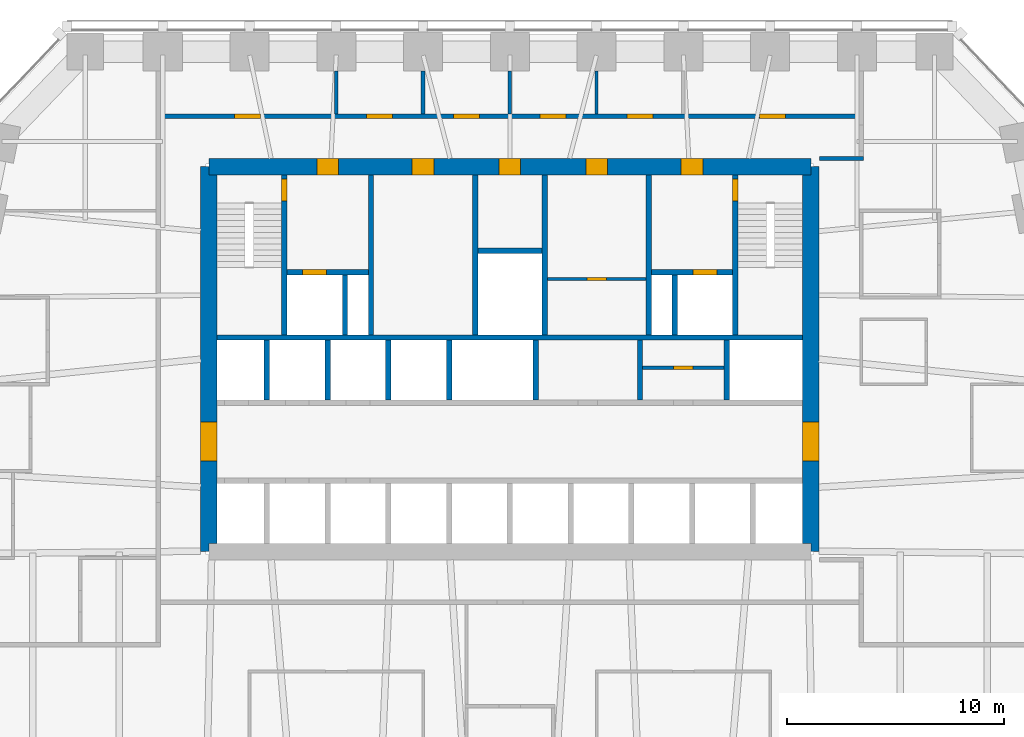
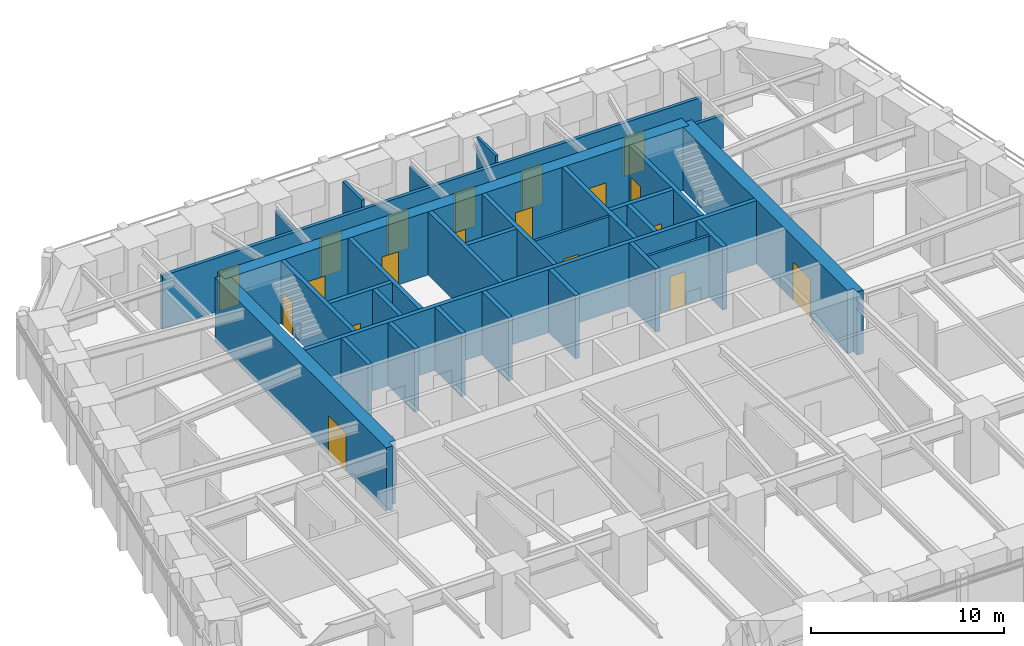
# One storey, part 7 of 10: 30 walls, 19 doors, 19 openings.
"""IFC4 building model written with IfcOpenShell, lengths in metres."""

from ifc_helpers import new_model, si_unit, direction, frame, frame_2d, origin, place, context, subcontext, project, spatial, polyline, rectangle, outline, extrude, material, layer, layer_set, type_object, element, fill, save


model = new_model("IFC4")

# Units and contexts
model_context = context("Model", 3, precision=1e-05, world=origin(), true_north=direction((0.0, 1.0)))
body_context = subcontext(model_context, "Body", "Model", "MODEL_VIEW")
ifc_project = project(units=[si_unit("LENGTHUNIT", "METRE"), si_unit("AREAUNIT", "SQUARE_METRE"), si_unit("VOLUMEUNIT", "CUBIC_METRE"), si_unit("PLANEANGLEUNIT", "RADIAN"), si_unit("MASSUNIT", "GRAM", prefix="KILO")], contexts=[model_context])

# Site, building, storey
site_placement = place(None, origin())
site = spatial("IfcSite", under=ifc_project, at=site_placement, CompositionType="ELEMENT")
building_placement = place(site_placement, origin())
building = spatial("IfcBuilding", under=site, at=building_placement, Name="Isbrekke Arena Tower", CompositionType="ELEMENT")
storey_placement = place(building_placement, frame((0.0, 0.0, 119.0)))
storey = spatial("IfcBuildingStorey", under=building, at=storey_placement, Name="L26", CompositionType="ELEMENT", Elevation=119.0)

# Wall, opening, door
ifc_material_1 = material(Name="Concrete B55 (C55/67)", Category="concrete")
ifc_layer_1 = layer(ifc_material_1, 0.75)
ifc_layer_set_1 = layer_set([ifc_layer_1], Name="CW3 CORE WALL 750")
wall_type_1 = type_object("IfcWallType", Name="CW3 CORE WALL 750", PredefinedType="SHEAR", material=ifc_layer_set_1)
wall_1_placement = place(storey_placement, frame((13.875, 6.125, 0.0), z_axis=(0.0, 0.0, 1.0), x_axis=(0.0, 1.0, 0.0)))
wall_1 = element("IfcWall", 1, at=wall_1_placement, inside=storey, type_object=wall_type_1, Name="Core wall E L26", PredefinedType="SHEAR", context=body_context, shape_type="SweptSolid", body=[
    extrude(outline(polyline([(0.0, -0.375), (17.75, -0.375), (17.75, 0.0), (17.375, 0.0), (17.375, 0.375), (0.375, 0.375), (0.375, 0.0), (0.0, 0.0), (0.0, -0.375)])), origin(), (0.0, 0.0, 1.0), 4.0),
])
opening_1_placement = place(wall_1_placement, frame((4.175048828125, 0.0, 0.0)))
opening_1 = element("IfcOpeningElement", 2, at=opening_1_placement, cuts=wall_1, Name="Opening D1", PredefinedType="OPENING", context=body_context, shape_type="SweptSolid", body=[
    extrude(rectangle(XDim=1.800048828125, YDim=2.39990234375, at=frame_2d((0.89990234375, 1.199951171875))), frame((0.0, 0.389892578125, 0.0), z_axis=(0.0, -1.0, 0.0), x_axis=(1.0, 0.0, 0.0)), (0.0, 0.0, 1.0), 0.77978515625),
])
ifc_material_2 = material(Name="Steel-framed glazed fire door", Category="steel")
door_type_1 = type_object("IfcDoorType", Name="D1 CORE LOBBY DOOR 1800 x 2400", OperationType="DOUBLE_DOOR_SINGLE_SWING", PredefinedType="DOOR", material=ifc_material_2)
door_1_placement = place(opening_1_placement, origin())
door_1 = element("IfcDoor", 3, at=door_1_placement, inside=storey, type_object=door_type_1, Name="D1 lift lobby door east L26", OperationType="DOUBLE_DOOR_SINGLE_SWING", OverallHeight=2.39990234375, OverallWidth=1.800048828125, PredefinedType="DOOR", context=body_context, shape_type="SweptSolid", body=[
    extrude(rectangle(XDim=1.800048828125, YDim=2.39990234375, at=frame_2d((0.89990234375, 1.199951171875))), frame((0.0, 0.374755859375, 0.0), z_axis=(0.0, -1.0, 0.0), x_axis=(1.0, 0.0, 0.0)), (0.0, 0.0, 1.0), 0.74951171875),
])
fill(opening_1, door_1)

# Wall, openings, doors
wall_2_placement = place(storey_placement, frame((13.875, 23.875, 0.0), z_axis=(0.0, 0.0, 1.0), x_axis=(-1.0, 0.0, 0.0)))
wall_2 = element("IfcWall", 4, at=wall_2_placement, inside=storey, type_object=wall_type_1, Name="Core wall N L26", PredefinedType="SHEAR", context=body_context, shape_type="SweptSolid", body=[
    extrude(rectangle(XDim=27.75, YDim=0.75, at=frame_2d((13.875, 0.0))), origin(), (0.0, 0.0, 1.0), 4.0),
])
opening_2_placement = place(wall_2_placement, frame((21.77490234375, 0.0, 0.0)))
opening_2 = element("IfcOpeningElement", 5, at=opening_2_placement, cuts=wall_2, Name="Opening D3", PredefinedType="OPENING", context=body_context, shape_type="SweptSolid", body=[
    extrude(rectangle(XDim=1.0, YDim=2.10009765625, at=frame_2d((0.5, 1.050048828125))), frame((0.0, 0.389892578125, 0.0), z_axis=(0.0, -1.0, 0.0), x_axis=(1.0, 0.0, 0.0)), (0.0, 0.0, 1.0), 0.77978515625),
])
opening_3_placement = place(wall_2_placement, frame((4.97509765625, 0.0, 0.0)))
opening_3 = element("IfcOpeningElement", 6, at=opening_3_placement, cuts=wall_2, Name="Opening D3", PredefinedType="OPENING", context=body_context, shape_type="SweptSolid", body=[
    extrude(rectangle(XDim=1.0, YDim=2.10009765625, at=frame_2d((0.5, 1.050048828125))), frame((0.0, 0.389892578125, 0.0), z_axis=(0.0, -1.0, 0.0), x_axis=(1.0, 0.0, 0.0)), (0.0, 0.0, 1.0), 0.77978515625),
])
opening_4_placement = place(wall_2_placement, frame((17.375, 0.0, 0.0)))
opening_4 = element("IfcOpeningElement", 7, at=opening_4_placement, cuts=wall_2, Name="Opening D4", PredefinedType="OPENING", context=body_context, shape_type="SweptSolid", body=[
    extrude(rectangle(XDim=1.0, YDim=2.10009765625, at=frame_2d((0.5, 1.050048828125))), frame((0.0, 0.389892578125, 0.0), z_axis=(0.0, -1.0, 0.0), x_axis=(1.0, 0.0, 0.0)), (0.0, 0.0, 1.0), 0.77978515625),
])
opening_5_placement = place(wall_2_placement, frame((13.375, 0.0, 0.0)))
opening_5 = element("IfcOpeningElement", 8, at=opening_5_placement, cuts=wall_2, Name="Opening D4", PredefinedType="OPENING", context=body_context, shape_type="SweptSolid", body=[
    extrude(rectangle(XDim=1.0, YDim=2.10009765625, at=frame_2d((0.5, 1.050048828125))), frame((0.0, 0.389892578125, 0.0), z_axis=(0.0, -1.0, 0.0), x_axis=(1.0, 0.0, 0.0)), (0.0, 0.0, 1.0), 0.77978515625),
])
opening_6_placement = place(wall_2_placement, frame((9.375, 0.0, 0.0)))
opening_6 = element("IfcOpeningElement", 9, at=opening_6_placement, cuts=wall_2, Name="Opening D4", PredefinedType="OPENING", context=body_context, shape_type="SweptSolid", body=[
    extrude(rectangle(XDim=1.0, YDim=2.10009765625, at=frame_2d((0.5, 1.050048828125))), frame((0.0, 0.389892578125, 0.0), z_axis=(0.0, -1.0, 0.0), x_axis=(1.0, 0.0, 0.0)), (0.0, 0.0, 1.0), 0.77978515625),
])
ifc_material_3 = material(Name="Steel fire door", Category="steel")
door_type_2 = type_object("IfcDoorType", Name="D3 FIRE LOBBY DOOR 1000 x 2100", OperationType="SINGLE_SWING_RIGHT", PredefinedType="DOOR", material=ifc_material_3)
door_2_placement = place(opening_2_placement, origin())
door_2 = element("IfcDoor", 10, at=door_2_placement, inside=storey, type_object=door_type_2, Name="D3 fire-fighting lobby door L26", OperationType="SINGLE_SWING_RIGHT", OverallHeight=2.10009765625, OverallWidth=1.0, PredefinedType="DOOR", context=body_context, shape_type="SweptSolid", body=[
    extrude(rectangle(XDim=1.0, YDim=2.10009765625, at=frame_2d((0.5, 1.050048828125))), frame((0.0, 0.374755859375, 0.0), z_axis=(0.0, -1.0, 0.0), x_axis=(1.0, 0.0, 0.0)), (0.0, 0.0, 1.0), 0.74951171875),
])
fill(opening_2, door_2)
door_3_placement = place(opening_3_placement, origin())
door_3 = element("IfcDoor", 11, at=door_3_placement, inside=storey, type_object=door_type_2, Name="D3 fire-fighting lobby door L26", OperationType="SINGLE_SWING_RIGHT", OverallHeight=2.10009765625, OverallWidth=1.0, PredefinedType="DOOR", context=body_context, shape_type="SweptSolid", body=[
    extrude(rectangle(XDim=1.0, YDim=2.10009765625, at=frame_2d((0.5, 1.050048828125))), frame((0.0, 0.374755859375, 0.0), z_axis=(0.0, -1.0, 0.0), x_axis=(1.0, 0.0, 0.0)), (0.0, 0.0, 1.0), 0.74951171875),
])
fill(opening_3, door_3)
ifc_material_4 = material(Name="Timber door", Category="wood")
door_type_3 = type_object("IfcDoorType", Name="D4 WC DOOR 1000 x 2100", OperationType="SINGLE_SWING_LEFT", PredefinedType="DOOR", material=ifc_material_4)
door_4_placement = place(opening_4_placement, origin())
door_4 = element("IfcDoor", 12, at=door_4_placement, inside=storey, type_object=door_type_3, Name="D4 wc female door L26", OperationType="SINGLE_SWING_LEFT", OverallHeight=2.10009765625, OverallWidth=1.0, PredefinedType="DOOR", context=body_context, shape_type="SweptSolid", body=[
    extrude(rectangle(XDim=1.0, YDim=2.10009765625, at=frame_2d((0.5, 1.050048828125))), frame((0.0, 0.374755859375, 0.0), z_axis=(0.0, -1.0, 0.0), x_axis=(1.0, 0.0, 0.0)), (0.0, 0.0, 1.0), 0.74951171875),
])
fill(opening_4, door_4)
door_5_placement = place(opening_5_placement, origin())
door_5 = element("IfcDoor", 13, at=door_5_placement, inside=storey, type_object=door_type_3, Name="D4 accessible wc door L26", OperationType="SINGLE_SWING_LEFT", OverallHeight=2.10009765625, OverallWidth=1.0, PredefinedType="DOOR", context=body_context, shape_type="SweptSolid", body=[
    extrude(rectangle(XDim=1.0, YDim=2.10009765625, at=frame_2d((0.5, 1.050048828125))), frame((0.0, 0.374755859375, 0.0), z_axis=(0.0, -1.0, 0.0), x_axis=(1.0, 0.0, 0.0)), (0.0, 0.0, 1.0), 0.74951171875),
])
fill(opening_5, door_5)
door_6_placement = place(opening_6_placement, origin())
door_6 = element("IfcDoor", 14, at=door_6_placement, inside=storey, type_object=door_type_3, Name="D4 wc male door L26", OperationType="SINGLE_SWING_LEFT", OverallHeight=2.10009765625, OverallWidth=1.0, PredefinedType="DOOR", context=body_context, shape_type="SweptSolid", body=[
    extrude(rectangle(XDim=1.0, YDim=2.10009765625, at=frame_2d((0.5, 1.050048828125))), frame((0.0, 0.374755859375, 0.0), z_axis=(0.0, -1.0, 0.0), x_axis=(1.0, 0.0, 0.0)), (0.0, 0.0, 1.0), 0.74951171875),
])
fill(opening_6, door_6)

# Wall, opening, door
wall_3_placement = place(storey_placement, frame((-13.875, 23.875, 0.0), z_axis=(0.0, 0.0, 1.0), x_axis=(0.0, -1.0, 0.0)))
wall_3 = element("IfcWall", 15, at=wall_3_placement, inside=storey, type_object=wall_type_1, Name="Core wall W L26", PredefinedType="SHEAR", context=body_context, shape_type="SweptSolid", body=[
    extrude(outline(polyline([(0.0, -0.375), (17.75, -0.375), (17.75, 0.0), (17.375, 0.0), (17.375, 0.375), (0.375, 0.375), (0.375, 0.0), (0.0, 0.0), (0.0, -0.375)])), origin(), (0.0, 0.0, 1.0), 4.0),
])
opening_7_placement = place(wall_3_placement, frame((11.77490234375, 0.0, 0.0)))
opening_7 = element("IfcOpeningElement", 16, at=opening_7_placement, cuts=wall_3, Name="Opening D1", PredefinedType="OPENING", context=body_context, shape_type="SweptSolid", body=[
    extrude(rectangle(XDim=1.800048828125, YDim=2.39990234375, at=frame_2d((0.89990234375, 1.199951171875))), frame((0.0, 0.389892578125, 0.0), z_axis=(0.0, -1.0, 0.0), x_axis=(1.0, 0.0, 0.0)), (0.0, 0.0, 1.0), 0.77978515625),
])
door_7_placement = place(opening_7_placement, origin())
door_7 = element("IfcDoor", 17, at=door_7_placement, inside=storey, type_object=door_type_1, Name="D1 lift lobby door west L26", OperationType="DOUBLE_DOOR_SINGLE_SWING", OverallHeight=2.39990234375, OverallWidth=1.800048828125, PredefinedType="DOOR", context=body_context, shape_type="SweptSolid", body=[
    extrude(rectangle(XDim=1.800048828125, YDim=2.39990234375, at=frame_2d((0.89990234375, 1.199951171875))), frame((0.0, 0.374755859375, 0.0), z_axis=(0.0, -1.0, 0.0), x_axis=(1.0, 0.0, 0.0)), (0.0, 0.0, 1.0), 0.74951171875),
])
fill(opening_7, door_7)

# Walls
ifc_material_5 = material(Name="Concrete B45 (C45/55)", Category="concrete")
ifc_layer_2 = layer(ifc_material_5, 0.25)
ifc_layer_set_2 = layer_set([ifc_layer_2], Name="CW6 SHAFT WALL 250")
wall_type_2 = type_object("IfcWallType", Name="CW6 SHAFT WALL 250", PredefinedType="SHEAR", material=ifc_layer_set_2)
wall_4_placement = place(storey_placement, frame((-13.5, 16.0, 0.0), z_axis=(0.0, 0.0, 1.0), x_axis=(1.0, 0.0, 0.0)))
element("IfcWall", 18, at=wall_4_placement, inside=storey, type_object=wall_type_2, Name="Core wall NB L26", PredefinedType="SHEAR", context=body_context, shape_type="SweptSolid", body=[
    extrude(rectangle(XDim=27.0, YDim=0.25, at=frame_2d((13.5, 0.0))), origin(), (0.0, 0.0, 1.0), 4.0),
])
for number, where, z_axis, x_axis, name in (
    (19, (-11.199951171875, 13.125, 0.0), (0.0, 0.0, 1.0), (0.0, 1.0, 0.0), "Core wall SN01 L26"),
    (20, (-8.39990234375, 13.125, 0.0), (0.0, 0.0, 1.0), (0.0, 1.0, 0.0), "Core wall SN02 L26"),
    (21, (-5.60009765625, 13.125, 0.0), (0.0, 0.0, 1.0), (0.0, 1.0, 0.0), "Core wall SN03 L26"),
    (22, (-2.800048828125, 13.125, 0.0), (0.0, 0.0, 1.0), (0.0, 1.0, 0.0), "Core wall SN04 L26"),
    (23, (1.199951171875, 13.125, 0.0), (0.0, 0.0, 1.0), (0.0, 1.0, 0.0), "Core wall SN05 L26"),
    (24, (6.0, 13.125, 0.0), (0.0, 0.0, 1.0), (0.0, 1.0, 0.0), "Core wall SN06 L26"),
    (25, (10.0, 13.125, 0.0), (0.0, 0.0, 1.0), (0.0, 1.0, 0.0), "Core wall SN07 L26"),
):
    element("IfcWall", number, at=place(storey_placement, frame(where, z_axis=z_axis, x_axis=x_axis)), inside=storey, type_object=wall_type_2, Name=name, PredefinedType="SHEAR", context=body_context, shape_type="SweptSolid", body=[
        extrude(rectangle(XDim=2.75, YDim=0.25, at=frame_2d((1.375, 0.0))), origin(), (0.0, 0.0, 1.0), 4.0),
    ])

# Wall, opening, door
wall_5_placement = place(storey_placement, frame((-10.39990234375, 16.125, 0.0), z_axis=(0.0, 0.0, 1.0), x_axis=(0.0, 1.0, 0.0)))
wall_5 = element("IfcWall", 26, at=wall_5_placement, inside=storey, type_object=wall_type_2, Name="Core wall NV01 L26", PredefinedType="SHEAR", context=body_context, shape_type="SweptSolid", body=[
    extrude(rectangle(XDim=7.375, YDim=0.25, at=frame_2d((3.6875, 0.0))), origin(), (0.0, 0.0, 1.0), 4.0),
])
opening_8_placement = place(wall_5_placement, frame((6.175048828125, 0.0, 0.0)))
opening_8 = element("IfcOpeningElement", 27, at=opening_8_placement, cuts=wall_5, Name="Opening D2", PredefinedType="OPENING", context=body_context, shape_type="SweptSolid", body=[
    extrude(rectangle(XDim=1.0, YDim=2.10009765625, at=frame_2d((0.5, 1.050048828125))), frame((0.0, 0.139892578125, 0.0), z_axis=(0.0, -1.0, 0.0), x_axis=(1.0, 0.0, 0.0)), (0.0, 0.0, 1.0), 0.27978515625),
])
ifc_material_6 = material(Name="Steel fire door", Category="steel")
door_type_4 = type_object("IfcDoorType", Name="D2 STAIR DOOR 1000 x 2100", OperationType="SINGLE_SWING_LEFT", PredefinedType="DOOR", material=ifc_material_6)
door_8_placement = place(opening_8_placement, origin())
door_8 = element("IfcDoor", 28, at=door_8_placement, inside=storey, type_object=door_type_4, Name="D2 stair door ST1 L26", OperationType="SINGLE_SWING_LEFT", OverallHeight=2.10009765625, OverallWidth=1.0, PredefinedType="DOOR", context=body_context, shape_type="SweptSolid", body=[
    extrude(rectangle(XDim=1.0, YDim=2.10009765625, at=frame_2d((0.5, 1.050048828125))), frame((0.0, 0.124755859375, 0.0), z_axis=(0.0, -1.0, 0.0), x_axis=(1.0, 0.0, 0.0)), (0.0, 0.0, 1.0), 0.24951171875),
])
fill(opening_8, door_8)

# Walls
for number, where, z_axis, x_axis, name in (
    (29, (-6.39990234375, 16.125, 0.0), (0.0, 0.0, 1.0), (0.0, 1.0, 0.0), "Core wall NV02 L26"),
    (30, (-1.60009765625, 16.125, 0.0), (0.0, 0.0, 1.0), (0.0, 1.0, 0.0), "Core wall NV03 L26"),
    (31, (1.60009765625, 16.125, 0.0), (0.0, 0.0, 1.0), (0.0, 1.0, 0.0), "Core wall NV04 L26"),
    (32, (6.39990234375, 16.125, 0.0), (0.0, 0.0, 1.0), (0.0, 1.0, 0.0), "Core wall NV05 L26"),
):
    element("IfcWall", number, at=place(storey_placement, frame(where, z_axis=z_axis, x_axis=x_axis)), inside=storey, type_object=wall_type_2, Name=name, PredefinedType="SHEAR", context=body_context, shape_type="SweptSolid", body=[
        extrude(rectangle(XDim=7.375, YDim=0.25, at=frame_2d((3.6875, 0.0))), origin(), (0.0, 0.0, 1.0), 4.0),
    ])

# Wall, opening, door
wall_6_placement = place(storey_placement, frame((10.39990234375, 16.125, 0.0), z_axis=(0.0, 0.0, 1.0), x_axis=(0.0, 1.0, 0.0)))
wall_6 = element("IfcWall", 33, at=wall_6_placement, inside=storey, type_object=wall_type_2, Name="Core wall NV06 L26", PredefinedType="SHEAR", context=body_context, shape_type="SweptSolid", body=[
    extrude(rectangle(XDim=7.375, YDim=0.25, at=frame_2d((3.6875, 0.0))), origin(), (0.0, 0.0, 1.0), 4.0),
])
opening_9_placement = place(wall_6_placement, frame((6.175048828125, 0.0, 0.0)))
opening_9 = element("IfcOpeningElement", 34, at=opening_9_placement, cuts=wall_6, Name="Opening D2", PredefinedType="OPENING", context=body_context, shape_type="SweptSolid", body=[
    extrude(rectangle(XDim=1.0, YDim=2.10009765625, at=frame_2d((0.5, 1.050048828125))), frame((0.0, 0.139892578125, 0.0), z_axis=(0.0, -1.0, 0.0), x_axis=(1.0, 0.0, 0.0)), (0.0, 0.0, 1.0), 0.27978515625),
])
door_9_placement = place(opening_9_placement, origin())
door_9 = element("IfcDoor", 35, at=door_9_placement, inside=storey, type_object=door_type_4, Name="D2 stair door ST2 L26", OperationType="SINGLE_SWING_LEFT", OverallHeight=2.10009765625, OverallWidth=1.0, PredefinedType="DOOR", context=body_context, shape_type="SweptSolid", body=[
    extrude(rectangle(XDim=1.0, YDim=2.10009765625, at=frame_2d((0.5, 1.050048828125))), frame((0.0, 0.124755859375, 0.0), z_axis=(0.0, -1.0, 0.0), x_axis=(1.0, 0.0, 0.0)), (0.0, 0.0, 1.0), 0.24951171875),
])
fill(opening_9, door_9)

wall_7_placement = place(storey_placement, frame((-10.27490234375, 19.0, 0.0), z_axis=(0.0, 0.0, 1.0), x_axis=(1.0, 0.0, 0.0)))
wall_7 = element("IfcWall", 36, at=wall_7_placement, inside=storey, type_object=wall_type_2, Name="Core wall NFW L26", PredefinedType="SHEAR", context=body_context, shape_type="SweptSolid", body=[
    extrude(rectangle(XDim=3.75, YDim=0.25, at=frame_2d((1.875, 0.0))), origin(), (0.0, 0.0, 1.0), 4.0),
])
opening_10_placement = place(wall_7_placement, frame((0.72509765625, 0.0, 0.0)))
opening_10 = element("IfcOpeningElement", 37, at=opening_10_placement, cuts=wall_7, Name="Opening LD2", PredefinedType="OPENING", context=body_context, shape_type="SweptSolid", body=[
    extrude(rectangle(XDim=1.10009765625, YDim=2.10009765625, at=frame_2d((0.550048828125, 1.050048828125))), frame((0.0, 0.139892578125, 0.0), z_axis=(0.0, -1.0, 0.0), x_axis=(1.0, 0.0, 0.0)), (0.0, 0.0, 1.0), 0.27978515625),
])
ifc_material_7 = material(Name="Stainless steel lift landing door", Category="steel")
door_type_5 = type_object("IfcDoorType", Name="LD2 FIRE-FIGHTING LIFT LANDING DOOR 1100 x 2100", OperationType="SLIDING_TO_RIGHT", PredefinedType="DOOR", material=ifc_material_7)
door_10_placement = place(opening_10_placement, origin())
door_10 = element("IfcDoor", 38, at=door_10_placement, inside=storey, type_object=door_type_5, Name="LD2 lift landing door LF L26", OperationType="SLIDING_TO_RIGHT", OverallHeight=2.10009765625, OverallWidth=1.10009765625, PredefinedType="DOOR", context=body_context, shape_type="SweptSolid", body=[
    extrude(rectangle(XDim=1.10009765625, YDim=2.10009765625, at=frame_2d((0.550048828125, 1.050048828125))), frame((0.0, 0.124755859375, 0.0), z_axis=(0.0, -1.0, 0.0), x_axis=(1.0, 0.0, 0.0)), (0.0, 0.0, 1.0), 0.24951171875),
])
fill(opening_10, door_10)

wall_8_placement = place(storey_placement, frame((6.52490234375, 19.0, 0.0), z_axis=(0.0, 0.0, 1.0), x_axis=(1.0, 0.0, 0.0)))
wall_8 = element("IfcWall", 39, at=wall_8_placement, inside=storey, type_object=wall_type_2, Name="Core wall NFE L26", PredefinedType="SHEAR", context=body_context, shape_type="SweptSolid", body=[
    extrude(rectangle(XDim=3.75, YDim=0.25, at=frame_2d((1.875, 0.0))), origin(), (0.0, 0.0, 1.0), 4.0),
])
opening_11_placement = place(wall_8_placement, frame((1.925048828125, 0.0, 0.0)))
opening_11 = element("IfcOpeningElement", 40, at=opening_11_placement, cuts=wall_8, Name="Opening LD2", PredefinedType="OPENING", context=body_context, shape_type="SweptSolid", body=[
    extrude(rectangle(XDim=1.10009765625, YDim=2.10009765625, at=frame_2d((0.550048828125, 1.050048828125))), frame((0.0, 0.139892578125, 0.0), z_axis=(0.0, -1.0, 0.0), x_axis=(1.0, 0.0, 0.0)), (0.0, 0.0, 1.0), 0.27978515625),
])
door_11_placement = place(opening_11_placement, origin())
door_11 = element("IfcDoor", 41, at=door_11_placement, inside=storey, type_object=door_type_5, Name="LD2 lift landing door LF L26", OperationType="SLIDING_TO_RIGHT", OverallHeight=2.10009765625, OverallWidth=1.10009765625, PredefinedType="DOOR", context=body_context, shape_type="SweptSolid", body=[
    extrude(rectangle(XDim=1.10009765625, YDim=2.10009765625, at=frame_2d((0.550048828125, 1.050048828125))), frame((0.0, 0.124755859375, 0.0), z_axis=(0.0, -1.0, 0.0), x_axis=(1.0, 0.0, 0.0)), (0.0, 0.0, 1.0), 0.24951171875),
])
fill(opening_11, door_11)

# Walls
for number, where, z_axis, x_axis, name in (
    (42, (-7.60009765625, 16.125, 0.0), (0.0, 0.0, 1.0), (0.0, 1.0, 0.0), "Core wall NFS1 L26"),
    (43, (7.60009765625, 16.125, 0.0), (0.0, 0.0, 1.0), (0.0, 1.0, 0.0), "Core wall NFS2 L26"),
):
    element("IfcWall", number, at=place(storey_placement, frame(where, z_axis=z_axis, x_axis=x_axis)), inside=storey, type_object=wall_type_2, Name=name, PredefinedType="SHEAR", context=body_context, shape_type="SweptSolid", body=[
        extrude(rectangle(XDim=2.75, YDim=0.25, at=frame_2d((1.375, 0.0))), origin(), (0.0, 0.0, 1.0), 4.0),
    ])
wall_9_placement = place(storey_placement, frame((-1.47509765625, 20.0, 0.0), z_axis=(0.0, 0.0, 1.0), x_axis=(1.0, 0.0, 0.0)))
element("IfcWall", 44, at=wall_9_placement, inside=storey, type_object=wall_type_2, Name="Core wall NWC L26", PredefinedType="SHEAR", context=body_context, shape_type="SweptSolid", body=[
    extrude(rectangle(XDim=2.9501953125, YDim=0.25, at=frame_2d((1.47509765625, 0.0))), origin(), (0.0, 0.0, 1.0), 4.0),
])
ifc_material_8 = material(Name="Gypsum board partition on steel studs", Category="steel")
ifc_layer_3 = layer(ifc_material_8, 0.14990234375)
ifc_layer_set_3 = layer_set([ifc_layer_3], Name="IW1 PARTITION 150")
wall_type_3 = type_object("IfcWallType", Name="IW1 PARTITION 150", PredefinedType="PARTITIONING", material=ifc_layer_set_3)
wall_10_placement = place(storey_placement, frame((0.0, 26.300048828125, 0.0), z_axis=(0.0, 0.0, 1.0), x_axis=(0.0, 1.0, 0.0)))
element("IfcWall", 45, at=wall_10_placement, inside=storey, type_object=wall_type_3, Name="IW1 partition 150 L26", PredefinedType="PARTITIONING", context=body_context, shape_type="SweptSolid", body=[
    extrude(rectangle(XDim=1.974853515625, YDim=0.14990234375, at=frame_2d((0.9873046875, 0.0))), origin(), (0.0, 0.0, 1.0), 3.39990234375),
])
wall_11_placement = place(storey_placement, frame((4.0, 26.300048828125, 0.0), z_axis=(0.0, 0.0, 1.0), x_axis=(0.0, 1.0, 0.0)))
element("IfcWall", 46, at=wall_11_placement, inside=storey, type_object=wall_type_3, Name="IW1 partition 150 L26", PredefinedType="PARTITIONING", context=body_context, shape_type="SweptSolid", body=[
    extrude(rectangle(XDim=1.974853515625, YDim=0.14990234375, at=frame_2d((0.9873046875, 0.0))), origin(), (0.0, 0.0, 1.0), 3.85009765625),
])
ifc_material_9 = material(Name="Gypsum board fire-cell wall on steel studs, two layers each side", Category="steel")
ifc_layer_4 = layer(ifc_material_9, 0.199951171875)
ifc_layer_set_4 = layer_set([ifc_layer_4], Name="IW3 FIRE-CELL WALL 200")
wall_type_4 = type_object("IfcWallType", Name="IW3 FIRE-CELL WALL 200", PredefinedType="PARTITIONING", material=ifc_layer_set_4)
wall_12_placement = place(storey_placement, frame((14.280029296875, 24.25, 0.0), z_axis=(0.0, 0.0, 1.0), x_axis=(1.0, 0.0, 0.0)))
element("IfcWall", 47, at=wall_12_placement, inside=storey, type_object=wall_type_4, Name="IW3 fire-cell wall 200 L26", PredefinedType="PARTITIONING", context=body_context, shape_type="SweptSolid", body=[
    extrude(rectangle(XDim=2.02001953125, YDim=0.199951171875, at=frame_2d((1.010009765625, 0.0))), origin(), (0.0, 0.0, 1.0), 3.39990234375),
])

# Wall, openings, doors
wall_13_placement = place(storey_placement, frame((-16.10009765625, 26.199951171875, 0.0), z_axis=(0.0, 0.0, 1.0), x_axis=(1.0, 0.0, 0.0)))
wall_13 = element("IfcWall", 48, at=wall_13_placement, inside=storey, type_object=wall_type_4, Name="IW3 fire-cell wall 200 L26", PredefinedType="PARTITIONING", context=body_context, shape_type="SweptSolid", body=[
    extrude(rectangle(XDim=32.2001953125, YDim=0.199951171875, at=frame_2d((16.10009765625, 0.0))), origin(), (0.0, 0.0, 1.0), 3.39990234375),
])
opening_12_placement = place(wall_13_placement, frame((3.39990234375, 0.0, 0.0)))
opening_12 = element("IfcOpeningElement", 49, at=opening_12_placement, cuts=wall_13, Name="Opening D12", PredefinedType="OPENING", context=body_context, shape_type="SweptSolid", body=[
    extrude(rectangle(XDim=1.199951171875, YDim=2.39990234375, at=frame_2d((0.60009765625, 1.199951171875))), frame((0.0, 0.11474609375, 0.0), z_axis=(0.0, -1.0, 0.0), x_axis=(1.0, 0.0, 0.0)), (0.0, 0.0, 1.0), 0.229736328125),
])
opening_13_placement = place(wall_13_placement, frame((9.5, 0.0, 0.0)))
opening_13 = element("IfcOpeningElement", 50, at=opening_13_placement, cuts=wall_13, Name="Opening D12", PredefinedType="OPENING", context=body_context, shape_type="SweptSolid", body=[
    extrude(rectangle(XDim=1.199951171875, YDim=2.39990234375, at=frame_2d((0.60009765625, 1.199951171875))), frame((0.0, 0.11474609375, 0.0), z_axis=(0.0, -1.0, 0.0), x_axis=(1.0, 0.0, 0.0)), (0.0, 0.0, 1.0), 0.229736328125),
])
opening_14_placement = place(wall_13_placement, frame((13.5, 0.0, 0.0)))
opening_14 = element("IfcOpeningElement", 51, at=opening_14_placement, cuts=wall_13, Name="Opening D12", PredefinedType="OPENING", context=body_context, shape_type="SweptSolid", body=[
    extrude(rectangle(XDim=1.199951171875, YDim=2.39990234375, at=frame_2d((0.60009765625, 1.199951171875))), frame((0.0, 0.11474609375, 0.0), z_axis=(0.0, -1.0, 0.0), x_axis=(1.0, 0.0, 0.0)), (0.0, 0.0, 1.0), 0.229736328125),
])
opening_15_placement = place(wall_13_placement, frame((17.5, 0.0, 0.0)))
opening_15 = element("IfcOpeningElement", 52, at=opening_15_placement, cuts=wall_13, Name="Opening D12", PredefinedType="OPENING", context=body_context, shape_type="SweptSolid", body=[
    extrude(rectangle(XDim=1.199951171875, YDim=2.39990234375, at=frame_2d((0.60009765625, 1.199951171875))), frame((0.0, 0.11474609375, 0.0), z_axis=(0.0, -1.0, 0.0), x_axis=(1.0, 0.0, 0.0)), (0.0, 0.0, 1.0), 0.229736328125),
])
opening_16_placement = place(wall_13_placement, frame((21.5, 0.0, 0.0)))
opening_16 = element("IfcOpeningElement", 53, at=opening_16_placement, cuts=wall_13, Name="Opening D12", PredefinedType="OPENING", context=body_context, shape_type="SweptSolid", body=[
    extrude(rectangle(XDim=1.199951171875, YDim=2.39990234375, at=frame_2d((0.60009765625, 1.199951171875))), frame((0.0, 0.11474609375, 0.0), z_axis=(0.0, -1.0, 0.0), x_axis=(1.0, 0.0, 0.0)), (0.0, 0.0, 1.0), 0.229736328125),
])
opening_17_placement = place(wall_13_placement, frame((27.60009765625, 0.0, 0.0)))
opening_17 = element("IfcOpeningElement", 54, at=opening_17_placement, cuts=wall_13, Name="Opening D12", PredefinedType="OPENING", context=body_context, shape_type="SweptSolid", body=[
    extrude(rectangle(XDim=1.199951171875, YDim=2.39990234375, at=frame_2d((0.60009765625, 1.199951171875))), frame((0.0, 0.11474609375, 0.0), z_axis=(0.0, -1.0, 0.0), x_axis=(1.0, 0.0, 0.0)), (0.0, 0.0, 1.0), 0.229736328125),
])
ifc_material_10 = material(Name="Timber fire door with vision panel", Category="wood")
door_type_6 = type_object("IfcDoorType", Name="D12 SUITE ENTRANCE DOOR 1200 x 2400", OperationType="SINGLE_SWING_LEFT", PredefinedType="DOOR", material=ifc_material_10)
door_12_placement = place(opening_12_placement, origin())
door_12 = element("IfcDoor", 55, at=door_12_placement, inside=storey, type_object=door_type_6, Name="D12 meeting room door L26", OperationType="SINGLE_SWING_LEFT", OverallHeight=2.39990234375, OverallWidth=1.199951171875, PredefinedType="DOOR", context=body_context, shape_type="SweptSolid", body=[
    extrude(rectangle(XDim=1.199951171875, YDim=2.39990234375, at=frame_2d((0.60009765625, 1.199951171875))), frame((0.0, 0.099609375, 0.0), z_axis=(0.0, -1.0, 0.0), x_axis=(1.0, 0.0, 0.0)), (0.0, 0.0, 1.0), 0.199462890625),
])
fill(opening_12, door_12)
door_13_placement = place(opening_13_placement, origin())
door_13 = element("IfcDoor", 56, at=door_13_placement, inside=storey, type_object=door_type_6, Name="D12 focus room door L26", OperationType="SINGLE_SWING_LEFT", OverallHeight=2.39990234375, OverallWidth=1.199951171875, PredefinedType="DOOR", context=body_context, shape_type="SweptSolid", body=[
    extrude(rectangle(XDim=1.199951171875, YDim=2.39990234375, at=frame_2d((0.60009765625, 1.199951171875))), frame((0.0, 0.099609375, 0.0), z_axis=(0.0, -1.0, 0.0), x_axis=(1.0, 0.0, 0.0)), (0.0, 0.0, 1.0), 0.199462890625),
])
fill(opening_13, door_13)
door_14_placement = place(opening_14_placement, origin())
door_14 = element("IfcDoor", 57, at=door_14_placement, inside=storey, type_object=door_type_6, Name="D12 focus room door L26", OperationType="SINGLE_SWING_LEFT", OverallHeight=2.39990234375, OverallWidth=1.199951171875, PredefinedType="DOOR", context=body_context, shape_type="SweptSolid", body=[
    extrude(rectangle(XDim=1.199951171875, YDim=2.39990234375, at=frame_2d((0.60009765625, 1.199951171875))), frame((0.0, 0.099609375, 0.0), z_axis=(0.0, -1.0, 0.0), x_axis=(1.0, 0.0, 0.0)), (0.0, 0.0, 1.0), 0.199462890625),
])
fill(opening_14, door_14)
door_15_placement = place(opening_15_placement, origin())
door_15 = element("IfcDoor", 58, at=door_15_placement, inside=storey, type_object=door_type_6, Name="D12 print room door L26", OperationType="SINGLE_SWING_LEFT", OverallHeight=2.39990234375, OverallWidth=1.199951171875, PredefinedType="DOOR", context=body_context, shape_type="SweptSolid", body=[
    extrude(rectangle(XDim=1.199951171875, YDim=2.39990234375, at=frame_2d((0.60009765625, 1.199951171875))), frame((0.0, 0.099609375, 0.0), z_axis=(0.0, -1.0, 0.0), x_axis=(1.0, 0.0, 0.0)), (0.0, 0.0, 1.0), 0.199462890625),
])
fill(opening_15, door_15)
door_16_placement = place(opening_16_placement, origin())
door_16 = element("IfcDoor", 59, at=door_16_placement, inside=storey, type_object=door_type_6, Name="D12 store door L26", OperationType="SINGLE_SWING_LEFT", OverallHeight=2.39990234375, OverallWidth=1.199951171875, PredefinedType="DOOR", context=body_context, shape_type="SweptSolid", body=[
    extrude(rectangle(XDim=1.199951171875, YDim=2.39990234375, at=frame_2d((0.60009765625, 1.199951171875))), frame((0.0, 0.099609375, 0.0), z_axis=(0.0, -1.0, 0.0), x_axis=(1.0, 0.0, 0.0)), (0.0, 0.0, 1.0), 0.199462890625),
])
fill(opening_16, door_16)
door_17_placement = place(opening_17_placement, origin())
door_17 = element("IfcDoor", 60, at=door_17_placement, inside=storey, type_object=door_type_6, Name="D12 meeting room door L26", OperationType="SINGLE_SWING_LEFT", OverallHeight=2.39990234375, OverallWidth=1.199951171875, PredefinedType="DOOR", context=body_context, shape_type="SweptSolid", body=[
    extrude(rectangle(XDim=1.199951171875, YDim=2.39990234375, at=frame_2d((0.60009765625, 1.199951171875))), frame((0.0, 0.099609375, 0.0), z_axis=(0.0, -1.0, 0.0), x_axis=(1.0, 0.0, 0.0)), (0.0, 0.0, 1.0), 0.199462890625),
])
fill(opening_17, door_17)

# Walls
ifc_material_11 = material(Name="Gypsum board acoustic partition on twin steel studs", Category="steel")
ifc_layer_5 = layer(ifc_material_11, 0.175048828125)
ifc_layer_set_5 = layer_set([ifc_layer_5], Name="IW4 ACOUSTIC PARTITION 175")
wall_type_5 = type_object("IfcWallType", Name="IW4 ACOUSTIC PARTITION 175", PredefinedType="PARTITIONING", material=ifc_layer_set_5)
wall_14_placement = place(storey_placement, frame((-8.0, 26.300048828125, 0.0), z_axis=(0.0, 0.0, 1.0), x_axis=(0.0, 1.0, 0.0)))
element("IfcWall", 61, at=wall_14_placement, inside=storey, type_object=wall_type_5, Name="IW4 acoustic partition 175 L26", PredefinedType="PARTITIONING", context=body_context, shape_type="SweptSolid", body=[
    extrude(rectangle(XDim=1.974853515625, YDim=0.175048828125, at=frame_2d((0.9873046875, 0.0))), origin(), (0.0, 0.0, 1.0), 3.39990234375),
])
wall_15_placement = place(storey_placement, frame((-4.0, 26.300048828125, 0.0), z_axis=(0.0, 0.0, 1.0), x_axis=(0.0, 1.0, 0.0)))
element("IfcWall", 62, at=wall_15_placement, inside=storey, type_object=wall_type_5, Name="IW4 acoustic partition 175 L26", PredefinedType="PARTITIONING", context=body_context, shape_type="SweptSolid", body=[
    extrude(rectangle(XDim=1.974853515625, YDim=0.175048828125, at=frame_2d((0.9873046875, 0.0))), origin(), (0.0, 0.0, 1.0), 3.85009765625),
])

# Wall, opening, door
ifc_material_12 = material(Name="Gypsum board fire-rated partition on steel studs, two layers each side", Category="steel")
ifc_layer_6 = layer(ifc_material_12, 0.14990234375)
ifc_layer_set_6 = layer_set([ifc_layer_6], Name="IW5 FIRE-RATED PARTITION 150")
wall_type_6 = type_object("IfcWallType", Name="IW5 FIRE-RATED PARTITION 150", PredefinedType="PARTITIONING", material=ifc_layer_set_6)
wall_16_placement = place(storey_placement, frame((1.72509765625, 18.699951171875, 0.0), z_axis=(0.0, 0.0, 1.0), x_axis=(1.0, 0.0, 0.0)))
wall_16 = element("IfcWall", 63, at=wall_16_placement, inside=storey, type_object=wall_type_6, Name="IW5 fire-rated partition L26 cleaner's store M", PredefinedType="PARTITIONING", context=body_context, shape_type="SweptSolid", body=[
    extrude(rectangle(XDim=4.5498046875, YDim=0.14990234375, at=frame_2d((2.27490234375, 0.0))), origin(), (0.0, 0.0, 1.0), 3.85009765625),
])
opening_18_placement = place(wall_16_placement, frame((1.824951171875, 0.0, 0.0)))
opening_18 = element("IfcOpeningElement", 64, at=opening_18_placement, cuts=wall_16, Name="Opening D5", PredefinedType="OPENING", context=body_context, shape_type="SweptSolid", body=[
    extrude(rectangle(XDim=0.89990234375, YDim=2.10009765625, at=frame_2d((0.449951171875, 1.050048828125))), frame((0.0, 0.08984375, 0.0), z_axis=(0.0, -1.0, 0.0), x_axis=(1.0, 0.0, 0.0)), (0.0, 0.0, 1.0), 0.1796875),
])
ifc_material_13 = material(Name="Steel fire door", Category="steel")
door_type_7 = type_object("IfcDoorType", Name="D5 SERVICE DOOR 900 x 2100", OperationType="SINGLE_SWING_LEFT", PredefinedType="DOOR", material=ifc_material_13)
door_18_placement = place(opening_18_placement, origin())
door_18 = element("IfcDoor", 65, at=door_18_placement, inside=storey, type_object=door_type_7, Name="D5 cleaner's store door L26", OperationType="SINGLE_SWING_LEFT", OverallHeight=2.10009765625, OverallWidth=0.89990234375, PredefinedType="DOOR", context=body_context, shape_type="SweptSolid", body=[
    extrude(rectangle(XDim=0.89990234375, YDim=2.10009765625, at=frame_2d((0.449951171875, 1.050048828125))), frame((0.0, 0.07470703125, 0.0), z_axis=(0.0, -1.0, 0.0), x_axis=(1.0, 0.0, 0.0)), (0.0, 0.0, 1.0), 0.1494140625),
])
fill(opening_18, door_18)

wall_17_placement = place(storey_placement, frame((6.125, 14.60009765625, 0.0), z_axis=(0.0, 0.0, 1.0), x_axis=(1.0, 0.0, 0.0)))
wall_17 = element("IfcWall", 66, at=wall_17_placement, inside=storey, type_object=wall_type_6, Name="IW5 fire-rated partition L26 core service rooms 1", PredefinedType="PARTITIONING", context=body_context, shape_type="SweptSolid", body=[
    extrude(rectangle(XDim=3.75, YDim=0.14990234375, at=frame_2d((1.875, 0.0))), origin(), (0.0, 0.0, 1.0), 3.85009765625),
])
opening_19_placement = place(wall_17_placement, frame((1.425048828125, 0.0, 0.0)))
opening_19 = element("IfcOpeningElement", 67, at=opening_19_placement, cuts=wall_17, Name="Opening D5", PredefinedType="OPENING", context=body_context, shape_type="SweptSolid", body=[
    extrude(rectangle(XDim=0.89990234375, YDim=2.10009765625, at=frame_2d((0.449951171875, 1.050048828125))), frame((0.0, 0.08984375, 0.0), z_axis=(0.0, -1.0, 0.0), x_axis=(1.0, 0.0, 0.0)), (0.0, 0.0, 1.0), 0.1796875),
])
door_19_placement = place(opening_19_placement, origin())
door_19 = element("IfcDoor", 68, at=door_19_placement, inside=storey, type_object=door_type_7, Name="D5 technical room door L26", OperationType="SINGLE_SWING_LEFT", OverallHeight=2.10009765625, OverallWidth=0.89990234375, PredefinedType="DOOR", context=body_context, shape_type="SweptSolid", body=[
    extrude(rectangle(XDim=0.89990234375, YDim=2.10009765625, at=frame_2d((0.449951171875, 1.050048828125))), frame((0.0, 0.07470703125, 0.0), z_axis=(0.0, -1.0, 0.0), x_axis=(1.0, 0.0, 0.0)), (0.0, 0.0, 1.0), 0.1494140625),
])
fill(opening_19, door_19)

save(model, "model.ifc")
